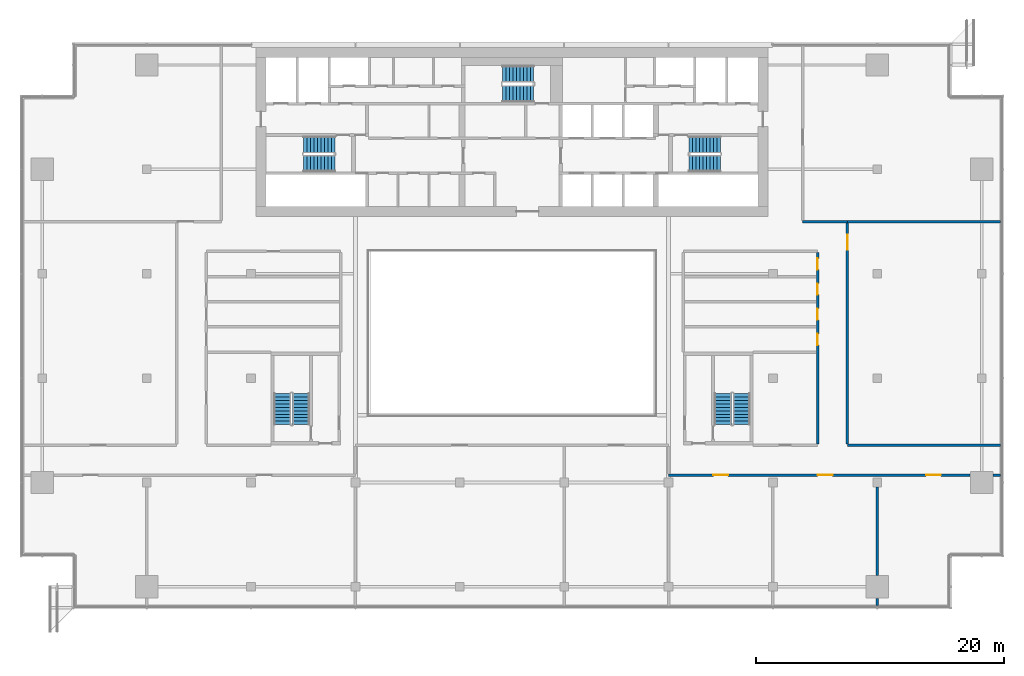
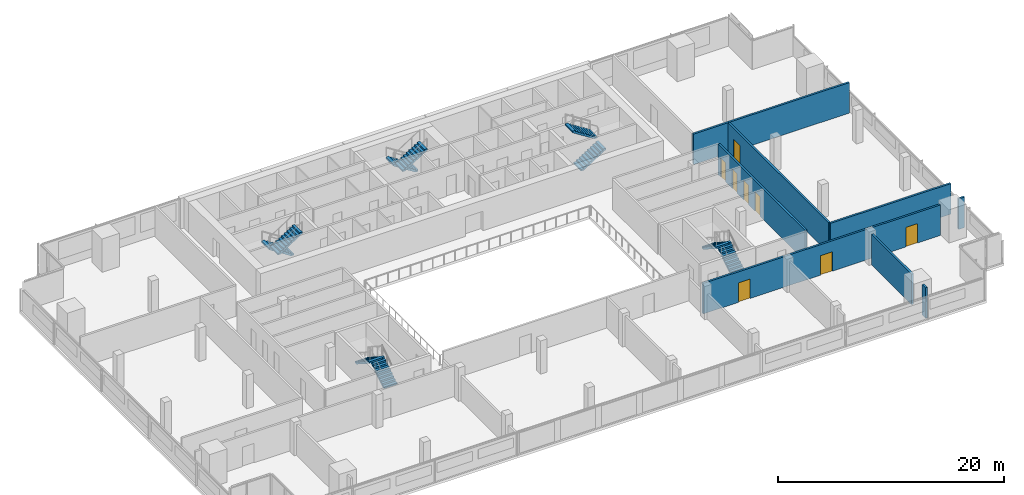
# One storey, part 21 of 24: 10 stair flights, 9 walls, 8 doors, 8 openings, 5 elements without a shape of their own.
"""IFC4 building model written with IfcOpenShell, lengths in metres."""

from ifc_helpers import new_model, si_unit, direction, frame, frame_2d, origin, place, context, subcontext, project, spatial, polyline, rectangle, outline, extrude, material, layer, layer_set, type_object, element, fill, aggregate, save


model = new_model("IFC4")

# Units and contexts
model_context = context("Model", 3, precision=1e-05, world=origin(), true_north=direction((0.0, 1.0)))
body_context = subcontext(model_context, "Body", "Model", "MODEL_VIEW")
ifc_project = project(units=[si_unit("LENGTHUNIT", "METRE"), si_unit("AREAUNIT", "SQUARE_METRE"), si_unit("VOLUMEUNIT", "CUBIC_METRE"), si_unit("PLANEANGLEUNIT", "RADIAN"), si_unit("MASSUNIT", "GRAM", prefix="KILO")], contexts=[model_context])

# Site, building, storey
site_placement = place(None, origin())
site = spatial("IfcSite", under=ifc_project, at=site_placement, CompositionType="ELEMENT")
building_placement = place(site_placement, origin())
building = spatial("IfcBuilding", under=site, at=building_placement, Name="Saffron Gate Tower", CompositionType="ELEMENT")
storey_placement = place(building_placement, frame((0.0, 0.0, 190.64990234375)))
storey = spatial("IfcBuildingStorey", under=building, at=storey_placement, Name="L47", CompositionType="ELEMENT", Elevation=190.64990234375)

# Wall, openings, doors
ifc_material_1 = material(Name="Clay brick masonry, rendered", Category="masonry")
ifc_layer_1 = layer(ifc_material_1, 0.199951171875)
ifc_layer_set_1 = layer_set([ifc_layer_1], Name="PW3 Corridor wall 200")
wall_type_1 = type_object("IfcWallType", Name="PW3 Corridor wall 200", PredefinedType="PARTITIONING", material=ifc_layer_set_1)
wall_1_placement = place(storey_placement, frame((124.47998046875, 40.800048828125, 0.0), z_axis=(0.0, 0.0, 1.0), x_axis=(-1.0, 0.0, 0.0)))
wall_1 = element("IfcWall", 1, at=wall_1_placement, inside=storey, type_object=wall_type_1, Name="Wall C5-3", PredefinedType="PARTITIONING", context=body_context, shape_type="SweptSolid", body=[
    extrude(rectangle(XDim=24.280029296875, YDim=0.199951171875, at=frame_2d((12.14013671875, 0.0))), origin(), (0.0, 0.0, 1.0), 3.300048828125),
])
opening_1_placement = place(wall_1_placement, frame((2.35205078125, 0.0, 0.0)))
opening_1 = element("IfcOpeningElement", 2, at=opening_1_placement, cuts=wall_1, Name="Opening C5-13", PredefinedType="OPENING", context=body_context, shape_type="SweptSolid", body=[
    extrude(rectangle(XDim=1.199951171875, YDim=2.10009765625, at=frame_2d((0.60009765625, 1.050048828125))), frame((0.0, 0.10986328125, 0.0), z_axis=(0.0, -1.0, 0.0), x_axis=(1.0, 0.0, 0.0)), (0.0, 0.0, 1.0), 0.219970703125),
])
opening_2_placement = place(wall_1_placement, frame((11.080078125, 0.0, 0.0)))
opening_2 = element("IfcOpeningElement", 3, at=opening_2_placement, cuts=wall_1, Name="Opening C5-12", PredefinedType="OPENING", context=body_context, shape_type="SweptSolid", body=[
    extrude(rectangle(XDim=1.199951171875, YDim=2.10009765625, at=frame_2d((0.60009765625, 1.050048828125))), frame((0.0, 0.10986328125, 0.0), z_axis=(0.0, -1.0, 0.0), x_axis=(1.0, 0.0, 0.0)), (0.0, 0.0, 1.0), 0.219970703125),
])
opening_3_placement = place(wall_1_placement, frame((19.47998046875, 0.0, 0.0)))
opening_3 = element("IfcOpeningElement", 4, at=opening_3_placement, cuts=wall_1, Name="Opening C5-11", PredefinedType="OPENING", context=body_context, shape_type="SweptSolid", body=[
    extrude(rectangle(XDim=1.199951171875, YDim=2.10009765625, at=frame_2d((0.60009765625, 1.050048828125))), frame((0.0, 0.10986328125, 0.0), z_axis=(0.0, -1.0, 0.0), x_axis=(1.0, 0.0, 0.0)), (0.0, 0.0, 1.0), 0.219970703125),
])
ifc_material_2 = material(Name="Timber door set", Category="wood")
door_type_1 = type_object("IfcDoorType", Name="HD1 Hall door 1200x2100", OperationType="NOTDEFINED", PredefinedType="DOOR", material=ifc_material_2)
door_1_placement = place(opening_1_placement, origin())
door_1 = element("IfcDoor", 5, at=door_1_placement, inside=storey, type_object=door_type_1, Name="Door C5-13", OperationType="SINGLE_SWING_LEFT", OverallHeight=2.10009765625, OverallWidth=1.199951171875, PredefinedType="DOOR", context=body_context, shape_type="SweptSolid", body=[
    extrude(rectangle(XDim=1.199951171875, YDim=2.10009765625, at=frame_2d((0.60009765625, 1.050048828125))), frame((0.0, 0.02490234375, 0.0), z_axis=(0.0, -1.0, 0.0), x_axis=(1.0, 0.0, 0.0)), (0.0, 0.0, 1.0), 0.050048828125),
])
fill(opening_1, door_1)
door_2_placement = place(opening_2_placement, origin())
door_2 = element("IfcDoor", 6, at=door_2_placement, inside=storey, type_object=door_type_1, Name="Door C5-12", OperationType="SINGLE_SWING_RIGHT", OverallHeight=2.10009765625, OverallWidth=1.199951171875, PredefinedType="DOOR", context=body_context, shape_type="SweptSolid", body=[
    extrude(rectangle(XDim=1.199951171875, YDim=2.10009765625, at=frame_2d((0.60009765625, 1.050048828125))), frame((0.0, 0.02490234375, 0.0), z_axis=(0.0, -1.0, 0.0), x_axis=(1.0, 0.0, 0.0)), (0.0, 0.0, 1.0), 0.050048828125),
])
fill(opening_2, door_2)
door_3_placement = place(opening_3_placement, origin())
door_3 = element("IfcDoor", 7, at=door_3_placement, inside=storey, type_object=door_type_1, Name="Door C5-11", OperationType="SINGLE_SWING_RIGHT", OverallHeight=2.10009765625, OverallWidth=1.199951171875, PredefinedType="DOOR", context=body_context, shape_type="SweptSolid", body=[
    extrude(rectangle(XDim=1.199951171875, YDim=2.10009765625, at=frame_2d((0.60009765625, 1.050048828125))), frame((0.0, 0.02490234375, 0.0), z_axis=(0.0, -1.0, 0.0), x_axis=(1.0, 0.0, 0.0)), (0.0, 0.0, 1.0), 0.050048828125),
])
fill(opening_3, door_3)

# Walls
wall_2_placement = place(storey_placement, frame((126.320068359375, 40.800048828125, 0.0), z_axis=(0.0, 0.0, 1.0), x_axis=(1.0, 0.0, 0.0)))
element("IfcWall", 8, at=wall_2_placement, inside=storey, type_object=wall_type_1, Name="Wall C5-4", PredefinedType="PARTITIONING", context=body_context, shape_type="SweptSolid", body=[
    extrude(rectangle(XDim=0.599853515625, YDim=0.199951171875, at=frame_2d((0.2998046875, 0.0))), origin(), (0.0, 0.0, 1.0), 3.300048828125),
])
wall_3_placement = place(storey_placement, frame((114.60009765625, 43.199951171875, 0.0), z_axis=(0.0, 0.0, 1.0), x_axis=(1.0, 0.0, 0.0)))
element("IfcWall", 9, at=wall_3_placement, inside=storey, type_object=wall_type_1, Name="Wall C5-9", PredefinedType="PARTITIONING", context=body_context, shape_type="SweptSolid", body=[
    extrude(rectangle(XDim=12.31982421875, YDim=0.199951171875, at=frame_2d((6.159912109375, 0.0))), origin(), (0.0, 0.0, 1.0), 3.300048828125),
])
wall_4_placement = place(storey_placement, frame((111.0, 61.199951171875, 0.0), z_axis=(0.0, 0.0, 1.0), x_axis=(1.0, 0.0, 0.0)))
element("IfcWall", 10, at=wall_4_placement, inside=storey, type_object=wall_type_1, Name="Wall C5-23", PredefinedType="PARTITIONING", context=body_context, shape_type="SweptSolid", body=[
    extrude(rectangle(XDim=3.60009765625, YDim=0.199951171875, at=frame_2d((1.800048828125, 0.0))), origin(), (0.0, 0.0, 1.0), 3.300048828125),
])

# Wall, openings, doors
wall_5_placement = place(storey_placement, frame((112.199951171875, 43.300048828125, 0.0), z_axis=(0.0, 0.0, 1.0), x_axis=(0.0, 1.0, 0.0)))
wall_5 = element("IfcWall", 11, at=wall_5_placement, inside=storey, type_object=wall_type_1, Name="Wall C5-45", PredefinedType="PARTITIONING", context=body_context, shape_type="SweptSolid", body=[
    extrude(rectangle(XDim=15.39990234375, YDim=0.199951171875, at=frame_2d((7.699951171875, 0.0))), origin(), (0.0, 0.0, 1.0), 3.300048828125),
])
opening_4_placement = place(wall_5_placement, frame((7.96240234375, 0.0, 0.0)))
opening_4 = element("IfcOpeningElement", 12, at=opening_4_placement, cuts=wall_5, Name="Opening C5-1", PredefinedType="OPENING", context=body_context, shape_type="SweptSolid", body=[
    extrude(rectangle(XDim=0.89990234375, YDim=2.10009765625, at=frame_2d((0.449951171875, 1.050048828125))), frame((0.0, 0.10986328125, 0.0), z_axis=(0.0, -1.0, 0.0), x_axis=(1.0, 0.0, 0.0)), (0.0, 0.0, 1.0), 0.219970703125),
])
opening_5_placement = place(wall_5_placement, frame((9.987548828125, 0.0, 0.0)))
opening_5 = element("IfcOpeningElement", 13, at=opening_5_placement, cuts=wall_5, Name="Opening C5-2", PredefinedType="OPENING", context=body_context, shape_type="SweptSolid", body=[
    extrude(rectangle(XDim=0.89990234375, YDim=2.10009765625, at=frame_2d((0.449951171875, 1.050048828125))), frame((0.0, 0.10986328125, 0.0), z_axis=(0.0, -1.0, 0.0), x_axis=(1.0, 0.0, 0.0)), (0.0, 0.0, 1.0), 0.219970703125),
])
opening_6_placement = place(wall_5_placement, frame((12.012451171875, 0.0, 0.0)))
opening_6 = element("IfcOpeningElement", 14, at=opening_6_placement, cuts=wall_5, Name="Opening C5-3", PredefinedType="OPENING", context=body_context, shape_type="SweptSolid", body=[
    extrude(rectangle(XDim=0.89990234375, YDim=2.10009765625, at=frame_2d((0.449951171875, 1.050048828125))), frame((0.0, 0.10986328125, 0.0), z_axis=(0.0, -1.0, 0.0), x_axis=(1.0, 0.0, 0.0)), (0.0, 0.0, 1.0), 0.219970703125),
])
opening_7_placement = place(wall_5_placement, frame((14.03759765625, 0.0, 0.0)))
opening_7 = element("IfcOpeningElement", 15, at=opening_7_placement, cuts=wall_5, Name="Opening C5-4", PredefinedType="OPENING", context=body_context, shape_type="SweptSolid", body=[
    extrude(rectangle(XDim=0.89990234375, YDim=2.10009765625, at=frame_2d((0.449951171875, 1.050048828125))), frame((0.0, 0.10986328125, 0.0), z_axis=(0.0, -1.0, 0.0), x_axis=(1.0, 0.0, 0.0)), (0.0, 0.0, 1.0), 0.219970703125),
])
door_type_2 = type_object("IfcDoorType", Name="RD1 Room door 900x2100", OperationType="NOTDEFINED", PredefinedType="DOOR", material=ifc_material_2)
door_4_placement = place(opening_4_placement, origin())
door_4 = element("IfcDoor", 16, at=door_4_placement, inside=storey, type_object=door_type_2, Name="Door C5-1", OperationType="SINGLE_SWING_LEFT", OverallHeight=2.10009765625, OverallWidth=0.89990234375, PredefinedType="DOOR", context=body_context, shape_type="SweptSolid", body=[
    extrude(rectangle(XDim=0.89990234375, YDim=2.10009765625, at=frame_2d((0.449951171875, 1.050048828125))), frame((0.0, 0.02490234375, 0.0), z_axis=(0.0, -1.0, 0.0), x_axis=(1.0, 0.0, 0.0)), (0.0, 0.0, 1.0), 0.050048828125),
])
fill(opening_4, door_4)
door_5_placement = place(opening_5_placement, origin())
door_5 = element("IfcDoor", 17, at=door_5_placement, inside=storey, type_object=door_type_2, Name="Door C5-2", OperationType="SINGLE_SWING_LEFT", OverallHeight=2.10009765625, OverallWidth=0.89990234375, PredefinedType="DOOR", context=body_context, shape_type="SweptSolid", body=[
    extrude(rectangle(XDim=0.89990234375, YDim=2.10009765625, at=frame_2d((0.449951171875, 1.050048828125))), frame((0.0, 0.02490234375, 0.0), z_axis=(0.0, -1.0, 0.0), x_axis=(1.0, 0.0, 0.0)), (0.0, 0.0, 1.0), 0.050048828125),
])
fill(opening_5, door_5)
door_6_placement = place(opening_6_placement, origin())
door_6 = element("IfcDoor", 18, at=door_6_placement, inside=storey, type_object=door_type_2, Name="Door C5-3", OperationType="SINGLE_SWING_LEFT", OverallHeight=2.10009765625, OverallWidth=0.89990234375, PredefinedType="DOOR", context=body_context, shape_type="SweptSolid", body=[
    extrude(rectangle(XDim=0.89990234375, YDim=2.10009765625, at=frame_2d((0.449951171875, 1.050048828125))), frame((0.0, 0.02490234375, 0.0), z_axis=(0.0, -1.0, 0.0), x_axis=(1.0, 0.0, 0.0)), (0.0, 0.0, 1.0), 0.050048828125),
])
fill(opening_6, door_6)
door_7_placement = place(opening_7_placement, origin())
door_7 = element("IfcDoor", 19, at=door_7_placement, inside=storey, type_object=door_type_2, Name="Door C5-4", OperationType="SINGLE_SWING_RIGHT", OverallHeight=2.10009765625, OverallWidth=0.89990234375, PredefinedType="DOOR", context=body_context, shape_type="SweptSolid", body=[
    extrude(rectangle(XDim=0.89990234375, YDim=2.10009765625, at=frame_2d((0.449951171875, 1.050048828125))), frame((0.0, 0.02490234375, 0.0), z_axis=(0.0, -1.0, 0.0), x_axis=(1.0, 0.0, 0.0)), (0.0, 0.0, 1.0), 0.050048828125),
])
fill(opening_7, door_7)

# Wall, opening, door
wall_6_placement = place(storey_placement, frame((114.60009765625, 61.10009765625, 0.0), z_axis=(0.0, 0.0, 1.0), x_axis=(0.0, -1.0, 0.0)))
wall_6 = element("IfcWall", 20, at=wall_6_placement, inside=storey, type_object=wall_type_1, Name="Wall C5-46", PredefinedType="PARTITIONING", context=body_context, shape_type="SweptSolid", body=[
    extrude(rectangle(XDim=17.800048828125, YDim=0.199951171875, at=frame_2d((8.89990234375, 0.0))), origin(), (0.0, 0.0, 1.0), 3.300048828125),
])
opening_8_placement = place(wall_6_placement, frame((0.949951171875, 0.0, 0.0)))
opening_8 = element("IfcOpeningElement", 21, at=opening_8_placement, cuts=wall_6, Name="Opening C5-14", PredefinedType="OPENING", context=body_context, shape_type="SweptSolid", body=[
    extrude(rectangle(XDim=1.199951171875, YDim=2.10009765625, at=frame_2d((0.60009765625, 1.050048828125))), frame((0.0, 0.10986328125, 0.0), z_axis=(0.0, -1.0, 0.0), x_axis=(1.0, 0.0, 0.0)), (0.0, 0.0, 1.0), 0.219970703125),
])
door_8_placement = place(opening_8_placement, origin())
door_8 = element("IfcDoor", 22, at=door_8_placement, inside=storey, type_object=door_type_1, Name="Door C5-14", OperationType="SINGLE_SWING_RIGHT", OverallHeight=2.10009765625, OverallWidth=1.199951171875, PredefinedType="DOOR", context=body_context, shape_type="SweptSolid", body=[
    extrude(rectangle(XDim=1.199951171875, YDim=2.10009765625, at=frame_2d((0.60009765625, 1.050048828125))), frame((0.0, 0.02490234375, 0.0), z_axis=(0.0, -1.0, 0.0), x_axis=(1.0, 0.0, 0.0)), (0.0, 0.0, 1.0), 0.050048828125),
])
fill(opening_8, door_8)

# Walls
ifc_layer_2 = layer(ifc_material_1, 0.199951171875)
ifc_layer_set_2 = layer_set([ifc_layer_2], Name="PW5 Room wall 200")
wall_type_2 = type_object("IfcWallType", Name="PW5 Room wall 200", PredefinedType="PARTITIONING", material=ifc_layer_set_2)
wall_7_placement = place(storey_placement, frame((114.60009765625, 61.199951171875, 0.0), z_axis=(0.0, 0.0, 1.0), x_axis=(1.0, 0.0, 0.0)))
element("IfcWall", 23, at=wall_7_placement, inside=storey, type_object=wall_type_2, Name="Wall C5-25", PredefinedType="PARTITIONING", context=body_context, shape_type="SweptSolid", body=[
    extrude(rectangle(XDim=12.31982421875, YDim=0.199951171875, at=frame_2d((6.159912109375, 0.0))), origin(), (0.0, 0.0, 1.0), 3.300048828125),
])
wall_8_placement = place(storey_placement, frame((117.0, 30.8798828125, 0.0), z_axis=(0.0, 0.0, 1.0), x_axis=(0.0, -1.0, 0.0)))
element("IfcWall", 24, at=wall_8_placement, inside=storey, type_object=wall_type_2, Name="Wall C5-47", PredefinedType="PARTITIONING", context=body_context, shape_type="SweptSolid", body=[
    extrude(rectangle(XDim=0.599853515625, YDim=0.199951171875, at=frame_2d((0.2998046875, 0.0))), origin(), (0.0, 0.0, 1.0), 3.300048828125),
])
wall_9_placement = place(storey_placement, frame((117.0, 39.830078125, 0.0), z_axis=(0.0, 0.0, 1.0), x_axis=(0.0, -1.0, 0.0)))
element("IfcWall", 25, at=wall_9_placement, inside=storey, type_object=wall_type_2, Name="Wall C5-48", PredefinedType="PARTITIONING", context=body_context, shape_type="SweptSolid", body=[
    extrude(rectangle(XDim=7.110107421875, YDim=0.199951171875, at=frame_2d((3.55517578125, 0.0))), origin(), (0.0, 0.0, 1.0), 3.300048828125),
])

# Stair, stair flights
ifc_material_3 = material(Name="Concrete C40", Category="concrete")
stair_type = type_object("IfcStairType", Name="ST7 Stair 1350 wide, 20 risers of 180", PredefinedType="HALF_TURN_STAIR", material=ifc_material_3)
stair_1_placement = place(storey_placement, origin())
stair_1 = element("IfcStair", 26, at=stair_1_placement, inside=storey, type_object=stair_type, Name="L47 Exit stair A", PredefinedType="HALF_TURN_STAIR")
stair_flight_type = type_object("IfcStairFlightType", Name="SF3 Stair flight 1350 wide, riser 180 going 280", PredefinedType="STRAIGHT", material=ifc_material_3)
stair_flight_1_placement = place(storey_placement, frame((73.35009765625, 67.375, 0.0), z_axis=(0.0, 0.0, 1.0), x_axis=(-1.0, 0.0, 0.0)))
stair_flight_1 = element("IfcStairFlight", 27, at=stair_flight_1_placement, type_object=stair_flight_type, Name="ST-A flight 1", NumberOfRisers=10, NumberOfTreads=9, PredefinedType="STRAIGHT", RiserHeight=0.18, TreadLength=0.28, context=body_context, shape_type="SweptSolid", body=[
    extrude(outline(polyline([(0.0, 0.0), (0.0, 0.179931640625), (0.280029296875, 0.179931640625), (0.280029296875, 0.360107421875), (0.56005859375, 0.360107421875), (0.56005859375, 0.5400390625), (0.840087890625, 0.5400390625), (0.840087890625, 0.719970703125), (1.1201171875, 0.719970703125), (1.1201171875, 0.89990234375), (1.39990234375, 0.89990234375), (1.39990234375, 1.080078125), (1.679931640625, 1.080078125), (1.679931640625, 1.260009765625), (1.9599609375, 1.260009765625), (1.9599609375, 1.43994140625), (2.239990234375, 1.43994140625), (2.239990234375, 1.6201171875), (2.52001953125, 1.6201171875), (2.52001953125, 1.800048828125), (2.52001953125, 1.44189453125), (0.277099609375, 0.0), (0.0, 0.0)])), frame((0.0, 0.675048828125, 0.0), z_axis=(0.0, -1.0, 0.0), x_axis=(1.0, 0.0, 0.0)), (0.0, 0.0, 1.0), 1.35009765625),
])
stair_flight_2_placement = place(storey_placement, frame((70.830078125, 65.875, 1.800048828125), z_axis=(0.0, 0.0, 1.0), x_axis=(1.0, 0.0, 0.0)))
stair_flight_2 = element("IfcStairFlight", 28, at=stair_flight_2_placement, type_object=stair_flight_type, Name="ST-A flight 2", NumberOfRisers=10, NumberOfTreads=9, PredefinedType="STRAIGHT", RiserHeight=0.18, TreadLength=0.28, context=body_context, shape_type="SweptSolid", body=[
    extrude(outline(polyline([(0.0, 0.0), (0.0, 0.179931640625), (0.280029296875, 0.179931640625), (0.280029296875, 0.360107421875), (0.56005859375, 0.360107421875), (0.56005859375, 0.5400390625), (0.840087890625, 0.5400390625), (0.840087890625, 0.719970703125), (1.1201171875, 0.719970703125), (1.1201171875, 0.89990234375), (1.39990234375, 0.89990234375), (1.39990234375, 1.080078125), (1.679931640625, 1.080078125), (1.679931640625, 1.260009765625), (1.9599609375, 1.260009765625), (1.9599609375, 1.43994140625), (2.239990234375, 1.43994140625), (2.239990234375, 1.6201171875), (2.52001953125, 1.6201171875), (2.52001953125, 1.800048828125), (2.52001953125, 1.44189453125), (0.277099609375, 0.0), (0.0, 0.0)])), frame((0.0, 0.675048828125, 0.0), z_axis=(0.0, -1.0, 0.0), x_axis=(1.0, 0.0, 0.0)), (0.0, 0.0, 1.0), 1.35009765625),
])
aggregate(stair_1, [stair_flight_1, stair_flight_2])

stair_2_placement = place(storey_placement, origin())
stair_2 = element("IfcStair", 29, at=stair_2_placement, inside=storey, type_object=stair_type, Name="L47 Exit stair B", PredefinedType="HALF_TURN_STAIR")
stair_flight_3_placement = place(storey_placement, frame((101.85009765625, 65.875, 0.0), z_axis=(0.0, 0.0, 1.0), x_axis=(1.0, 0.0, 0.0)))
stair_flight_3 = element("IfcStairFlight", 30, at=stair_flight_3_placement, type_object=stair_flight_type, Name="ST-B flight 1", NumberOfRisers=10, NumberOfTreads=9, PredefinedType="STRAIGHT", RiserHeight=0.18, TreadLength=0.28, context=body_context, shape_type="SweptSolid", body=[
    extrude(outline(polyline([(0.0, 0.0), (0.0, 0.179931640625), (0.280029296875, 0.179931640625), (0.280029296875, 0.360107421875), (0.56005859375, 0.360107421875), (0.56005859375, 0.5400390625), (0.840087890625, 0.5400390625), (0.840087890625, 0.719970703125), (1.1201171875, 0.719970703125), (1.1201171875, 0.89990234375), (1.39990234375, 0.89990234375), (1.39990234375, 1.080078125), (1.679931640625, 1.080078125), (1.679931640625, 1.260009765625), (1.9599609375, 1.260009765625), (1.9599609375, 1.43994140625), (2.239990234375, 1.43994140625), (2.239990234375, 1.6201171875), (2.52001953125, 1.6201171875), (2.52001953125, 1.800048828125), (2.52001953125, 1.44189453125), (0.277099609375, 0.0), (0.0, 0.0)])), frame((0.0, 0.675048828125, 0.0), z_axis=(0.0, -1.0, 0.0), x_axis=(1.0, 0.0, 0.0)), (0.0, 0.0, 1.0), 1.35009765625),
])
stair_flight_4_placement = place(storey_placement, frame((104.3701171875, 67.375, 1.800048828125), z_axis=(0.0, 0.0, 1.0), x_axis=(-1.0, 0.0, 0.0)))
stair_flight_4 = element("IfcStairFlight", 31, at=stair_flight_4_placement, type_object=stair_flight_type, Name="ST-B flight 2", NumberOfRisers=10, NumberOfTreads=9, PredefinedType="STRAIGHT", RiserHeight=0.18, TreadLength=0.28, context=body_context, shape_type="SweptSolid", body=[
    extrude(outline(polyline([(0.0, 0.0), (0.0, 0.179931640625), (0.280029296875, 0.179931640625), (0.280029296875, 0.360107421875), (0.56005859375, 0.360107421875), (0.56005859375, 0.5400390625), (0.840087890625, 0.5400390625), (0.840087890625, 0.719970703125), (1.1201171875, 0.719970703125), (1.1201171875, 0.89990234375), (1.39990234375, 0.89990234375), (1.39990234375, 1.080078125), (1.679931640625, 1.080078125), (1.679931640625, 1.260009765625), (1.9599609375, 1.260009765625), (1.9599609375, 1.43994140625), (2.239990234375, 1.43994140625), (2.239990234375, 1.6201171875), (2.52001953125, 1.6201171875), (2.52001953125, 1.800048828125), (2.52001953125, 1.44189453125), (0.277099609375, 0.0), (0.0, 0.0)])), frame((0.0, 0.675048828125, 0.0), z_axis=(0.0, -1.0, 0.0), x_axis=(1.0, 0.0, 0.0)), (0.0, 0.0, 1.0), 1.35009765625),
])
aggregate(stair_2, [stair_flight_3, stair_flight_4])

stair_3_placement = place(storey_placement, origin())
stair_3 = element("IfcStair", 32, at=stair_3_placement, inside=storey, type_object=stair_type, Name="L47 Exit stair C", PredefinedType="HALF_TURN_STAIR")
stair_flight_5_placement = place(storey_placement, frame((89.35009765625, 73.074951171875, 0.0), z_axis=(0.0, 0.0, 1.0), x_axis=(-1.0, 0.0, 0.0)))
stair_flight_5 = element("IfcStairFlight", 33, at=stair_flight_5_placement, type_object=stair_flight_type, Name="ST-C flight 1", NumberOfRisers=10, NumberOfTreads=9, PredefinedType="STRAIGHT", RiserHeight=0.18, TreadLength=0.28, context=body_context, shape_type="SweptSolid", body=[
    extrude(outline(polyline([(0.0, 0.0), (0.0, 0.179931640625), (0.280029296875, 0.179931640625), (0.280029296875, 0.360107421875), (0.56005859375, 0.360107421875), (0.56005859375, 0.5400390625), (0.840087890625, 0.5400390625), (0.840087890625, 0.719970703125), (1.1201171875, 0.719970703125), (1.1201171875, 0.89990234375), (1.39990234375, 0.89990234375), (1.39990234375, 1.080078125), (1.679931640625, 1.080078125), (1.679931640625, 1.260009765625), (1.9599609375, 1.260009765625), (1.9599609375, 1.43994140625), (2.239990234375, 1.43994140625), (2.239990234375, 1.6201171875), (2.52001953125, 1.6201171875), (2.52001953125, 1.800048828125), (2.52001953125, 1.44189453125), (0.277099609375, 0.0), (0.0, 0.0)])), frame((0.0, 0.675048828125, 0.0), z_axis=(0.0, -1.0, 0.0), x_axis=(1.0, 0.0, 0.0)), (0.0, 0.0, 1.0), 1.35009765625),
])
stair_flight_6_placement = place(storey_placement, frame((86.830078125, 71.47509765625, 1.800048828125), z_axis=(0.0, 0.0, 1.0), x_axis=(1.0, 0.0, 0.0)))
stair_flight_6 = element("IfcStairFlight", 34, at=stair_flight_6_placement, type_object=stair_flight_type, Name="ST-C flight 2", NumberOfRisers=10, NumberOfTreads=9, PredefinedType="STRAIGHT", RiserHeight=0.18, TreadLength=0.28, context=body_context, shape_type="SweptSolid", body=[
    extrude(outline(polyline([(0.0, 0.0), (0.0, 0.179931640625), (0.280029296875, 0.179931640625), (0.280029296875, 0.360107421875), (0.56005859375, 0.360107421875), (0.56005859375, 0.5400390625), (0.840087890625, 0.5400390625), (0.840087890625, 0.719970703125), (1.1201171875, 0.719970703125), (1.1201171875, 0.89990234375), (1.39990234375, 0.89990234375), (1.39990234375, 1.080078125), (1.679931640625, 1.080078125), (1.679931640625, 1.260009765625), (1.9599609375, 1.260009765625), (1.9599609375, 1.43994140625), (2.239990234375, 1.43994140625), (2.239990234375, 1.6201171875), (2.52001953125, 1.6201171875), (2.52001953125, 1.800048828125), (2.52001953125, 1.44189453125), (0.277099609375, 0.0), (0.0, 0.0)])), frame((0.0, 0.675048828125, 0.0), z_axis=(0.0, -1.0, 0.0), x_axis=(1.0, 0.0, 0.0)), (0.0, 0.0, 1.0), 1.35009765625),
])
aggregate(stair_3, [stair_flight_5, stair_flight_6])

stair_4_placement = place(storey_placement, origin())
stair_4 = element("IfcStair", 35, at=stair_4_placement, inside=storey, type_object=stair_type, Name="L47 Exit stair D", PredefinedType="HALF_TURN_STAIR")
stair_flight_7_placement = place(storey_placement, frame((70.625, 44.85009765625, 0.0), z_axis=(0.0, 0.0, 1.0), x_axis=(0.0, 1.0, 0.0)))
stair_flight_7 = element("IfcStairFlight", 36, at=stair_flight_7_placement, type_object=stair_flight_type, Name="ST-D flight 1", NumberOfRisers=10, NumberOfTreads=9, PredefinedType="STRAIGHT", RiserHeight=0.18, TreadLength=0.28, context=body_context, shape_type="SweptSolid", body=[
    extrude(outline(polyline([(0.0, 0.0), (0.0, 0.179931640625), (0.280029296875, 0.179931640625), (0.280029296875, 0.360107421875), (0.56005859375, 0.360107421875), (0.56005859375, 0.5400390625), (0.840087890625, 0.5400390625), (0.840087890625, 0.719970703125), (1.1201171875, 0.719970703125), (1.1201171875, 0.89990234375), (1.39990234375, 0.89990234375), (1.39990234375, 1.080078125), (1.679931640625, 1.080078125), (1.679931640625, 1.260009765625), (1.9599609375, 1.260009765625), (1.9599609375, 1.43994140625), (2.239990234375, 1.43994140625), (2.239990234375, 1.6201171875), (2.52001953125, 1.6201171875), (2.52001953125, 1.800048828125), (2.52001953125, 1.44189453125), (0.277099609375, 0.0), (0.0, 0.0)])), frame((0.0, 0.675048828125, 0.0), z_axis=(0.0, -1.0, 0.0), x_axis=(1.0, 0.0, 0.0)), (0.0, 0.0, 1.0), 1.35009765625),
])
stair_flight_8_placement = place(storey_placement, frame((69.125, 47.3701171875, 1.800048828125), z_axis=(0.0, 0.0, 1.0), x_axis=(0.0, -1.0, 0.0)))
stair_flight_8 = element("IfcStairFlight", 37, at=stair_flight_8_placement, type_object=stair_flight_type, Name="ST-D flight 2", NumberOfRisers=10, NumberOfTreads=9, PredefinedType="STRAIGHT", RiserHeight=0.18, TreadLength=0.28, context=body_context, shape_type="SweptSolid", body=[
    extrude(outline(polyline([(0.0, 0.0), (0.0, 0.179931640625), (0.280029296875, 0.179931640625), (0.280029296875, 0.360107421875), (0.56005859375, 0.360107421875), (0.56005859375, 0.5400390625), (0.840087890625, 0.5400390625), (0.840087890625, 0.719970703125), (1.1201171875, 0.719970703125), (1.1201171875, 0.89990234375), (1.39990234375, 0.89990234375), (1.39990234375, 1.080078125), (1.679931640625, 1.080078125), (1.679931640625, 1.260009765625), (1.9599609375, 1.260009765625), (1.9599609375, 1.43994140625), (2.239990234375, 1.43994140625), (2.239990234375, 1.6201171875), (2.52001953125, 1.6201171875), (2.52001953125, 1.800048828125), (2.52001953125, 1.44189453125), (0.277099609375, 0.0), (0.0, 0.0)])), frame((0.0, 0.675048828125, 0.0), z_axis=(0.0, -1.0, 0.0), x_axis=(1.0, 0.0, 0.0)), (0.0, 0.0, 1.0), 1.35009765625),
])
aggregate(stair_4, [stair_flight_7, stair_flight_8])

stair_5_placement = place(storey_placement, origin())
stair_5 = element("IfcStair", 38, at=stair_5_placement, inside=storey, type_object=stair_type, Name="L47 Exit stair E", PredefinedType="HALF_TURN_STAIR")
stair_flight_9_placement = place(storey_placement, frame((106.074951171875, 44.85009765625, 0.0), z_axis=(0.0, 0.0, 1.0), x_axis=(0.0, 1.0, 0.0)))
stair_flight_9 = element("IfcStairFlight", 39, at=stair_flight_9_placement, type_object=stair_flight_type, Name="ST-E flight 1", NumberOfRisers=10, NumberOfTreads=9, PredefinedType="STRAIGHT", RiserHeight=0.18, TreadLength=0.28, context=body_context, shape_type="SweptSolid", body=[
    extrude(outline(polyline([(0.0, 0.0), (0.0, 0.179931640625), (0.280029296875, 0.179931640625), (0.280029296875, 0.360107421875), (0.56005859375, 0.360107421875), (0.56005859375, 0.5400390625), (0.840087890625, 0.5400390625), (0.840087890625, 0.719970703125), (1.1201171875, 0.719970703125), (1.1201171875, 0.89990234375), (1.39990234375, 0.89990234375), (1.39990234375, 1.080078125), (1.679931640625, 1.080078125), (1.679931640625, 1.260009765625), (1.9599609375, 1.260009765625), (1.9599609375, 1.43994140625), (2.239990234375, 1.43994140625), (2.239990234375, 1.6201171875), (2.52001953125, 1.6201171875), (2.52001953125, 1.800048828125), (2.52001953125, 1.44189453125), (0.277099609375, 0.0), (0.0, 0.0)])), frame((0.0, 0.675048828125, 0.0), z_axis=(0.0, -1.0, 0.0), x_axis=(1.0, 0.0, 0.0)), (0.0, 0.0, 1.0), 1.35009765625),
])
stair_flight_10_placement = place(storey_placement, frame((104.574951171875, 47.3701171875, 1.800048828125), z_axis=(0.0, 0.0, 1.0), x_axis=(0.0, -1.0, 0.0)))
stair_flight_10 = element("IfcStairFlight", 40, at=stair_flight_10_placement, type_object=stair_flight_type, Name="ST-E flight 2", NumberOfRisers=10, NumberOfTreads=9, PredefinedType="STRAIGHT", RiserHeight=0.18, TreadLength=0.28, context=body_context, shape_type="SweptSolid", body=[
    extrude(outline(polyline([(0.0, 0.0), (0.0, 0.179931640625), (0.280029296875, 0.179931640625), (0.280029296875, 0.360107421875), (0.56005859375, 0.360107421875), (0.56005859375, 0.5400390625), (0.840087890625, 0.5400390625), (0.840087890625, 0.719970703125), (1.1201171875, 0.719970703125), (1.1201171875, 0.89990234375), (1.39990234375, 0.89990234375), (1.39990234375, 1.080078125), (1.679931640625, 1.080078125), (1.679931640625, 1.260009765625), (1.9599609375, 1.260009765625), (1.9599609375, 1.43994140625), (2.239990234375, 1.43994140625), (2.239990234375, 1.6201171875), (2.52001953125, 1.6201171875), (2.52001953125, 1.800048828125), (2.52001953125, 1.44189453125), (0.277099609375, 0.0), (0.0, 0.0)])), frame((0.0, 0.675048828125, 0.0), z_axis=(0.0, -1.0, 0.0), x_axis=(1.0, 0.0, 0.0)), (0.0, 0.0, 1.0), 1.35009765625),
])
aggregate(stair_5, [stair_flight_9, stair_flight_10])

save(model, "model.ifc")
